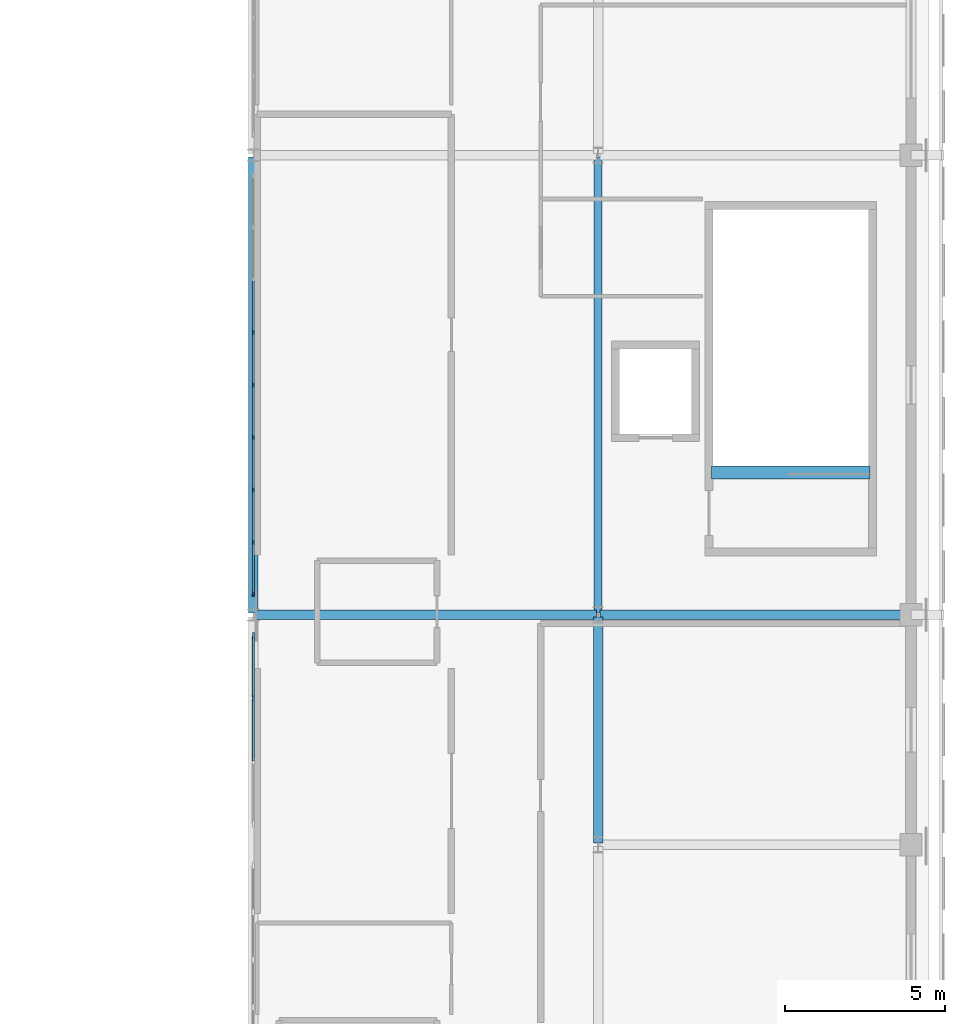
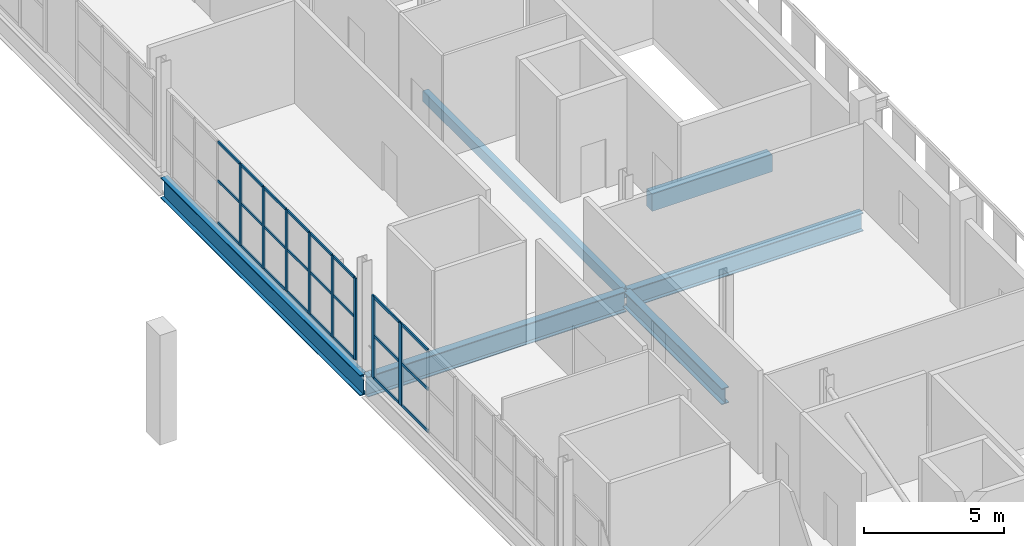
# One storey, part 17 of 51: 32 members, 6 beams, 2 elements without a shape of their own.
"""IFC4 building model written with IfcOpenShell, lengths in metres."""

from ifc_helpers import new_model, si_unit, direction, frame, origin, origin_2d, place, context, subcontext, project, spatial, rectangle, hollow_rectangle, i_section, extrude, material, material_profile, profile_set, type_object, element, aggregate, save


model = new_model("IFC4")

# Units and contexts
model_context = context("Model", 3, precision=1e-05, world=origin(), true_north=direction((0.0, 1.0)))
body_context = subcontext(model_context, "Body", "Model", "MODEL_VIEW")
ifc_project = project(units=[si_unit("LENGTHUNIT", "METRE"), si_unit("AREAUNIT", "SQUARE_METRE"), si_unit("VOLUMEUNIT", "CUBIC_METRE"), si_unit("PLANEANGLEUNIT", "RADIAN"), si_unit("MASSUNIT", "GRAM", prefix="KILO")], contexts=[model_context])

# Site, building, storey
site_placement = place(None, origin())
site = spatial("IfcSite", under=ifc_project, at=site_placement, CompositionType="ELEMENT")
building_placement = place(site_placement, origin())
building = spatial("IfcBuilding", under=site, at=building_placement, Name="Koshinbarg Plaza Stadium", CompositionType="ELEMENT")
storey_placement = place(building_placement, frame((0.0, 0.0, 24.60009765625)))
storey = spatial("IfcBuildingStorey", under=building, at=storey_placement, Name="L05", CompositionType="ELEMENT", Elevation=24.60009765625)

# Beams
ifc_material_1 = material(Name="Concrete C40/50", Category="concrete")
ifc_material_profile_1 = material_profile(ifc_material_1, rectangle(XDim=0.39990234375, YDim=0.75, at=origin_2d()), Name="RC 400x750")
ifc_profile_set_1 = profile_set([ifc_material_profile_1], Name="Concrete C40/50")
beam_type_1 = type_object("IfcBeamType", Name="BM-RCG-03", PredefinedType="USERDEFINED", material=ifc_profile_set_1)
beam_1_placement = place(storey_placement, frame((212.14990234375, 58.760009765625, -0.375), z_axis=(1.0, 0.0, 0.0), x_axis=(0.0, 1.0, 0.0)))
element("IfcBeam", 1, at=beam_1_placement, inside=storey, type_object=beam_type_1, Name="L05 stair landing header beam C08", ObjectType="GIRDER", PredefinedType="USERDEFINED", context=body_context, shape_type="SweptSolid", body=[
    extrude(rectangle(XDim=0.39990234375, YDim=0.75, at=origin_2d()), origin(), (0.0, 0.0, 1.0), 4.97021484375),
])
ifc_material_2 = material(Name="Steel S355", Category="steel")
ifc_material_profile_2 = material_profile(ifc_material_2, i_section(OverallWidth=0.300048828125, OverallDepth=0.699951171875, WebThickness=0.01708984375, FlangeThickness=0.031982421875, at=origin_2d()), Name="HEB 700")
ifc_profile_set_2 = profile_set([ifc_material_profile_2], Name="Steel S355")
beam_type_2 = type_object("IfcBeamType", Name="BM-SGIR-03", PredefinedType="USERDEFINED", material=ifc_profile_set_2)
beam_2_placement = place(storey_placement, frame((208.60009765625, 47.159912109375, -0.650146484375), z_axis=(0.0, 1.0, 0.0), x_axis=(-1.0, 0.0, 0.0)))
element("IfcBeam", 2, at=beam_2_placement, inside=storey, type_object=beam_type_2, Name="L05 Y girder 20/G-H", ObjectType="GIRDER", PredefinedType="USERDEFINED", context=body_context, shape_type="SweptSolid", body=[
    extrude(i_section(OverallWidth=0.300048828125, OverallDepth=0.699951171875, WebThickness=0.01708984375, FlangeThickness=0.031982421875, at=origin_2d()), origin(), (0.0, 0.0, 1.0), 7.080078125),
])
ifc_material_profile_3 = material_profile(ifc_material_2, i_section(OverallWidth=0.300048828125, OverallDepth=0.800048828125, WebThickness=0.017578125, FlangeThickness=0.032958984375, at=origin_2d()), Name="HEB 800")
ifc_profile_set_3 = profile_set([ifc_material_profile_3], Name="Steel S355")
beam_type_3 = type_object("IfcBeamType", Name="BM-SGIR-04", PredefinedType="USERDEFINED", material=ifc_profile_set_3)
beam_3_placement = place(storey_placement, frame((208.659912109375, 54.300048828125, -0.7001953125), z_axis=(1.0, 0.0, 0.0), x_axis=(0.0, 1.0, 0.0)))
element("IfcBeam", 3, at=beam_3_placement, inside=storey, type_object=beam_type_3, Name="L05 X girder H/20-21", ObjectType="GIRDER", PredefinedType="USERDEFINED", context=body_context, shape_type="SweptSolid", body=[
    extrude(i_section(OverallWidth=0.300048828125, OverallDepth=0.800048828125, WebThickness=0.017578125, FlangeThickness=0.032958984375, at=origin_2d()), origin(), (0.0, 0.0, 1.0), 9.68017578125),
])
ifc_material_profile_4 = material_profile(ifc_material_2, i_section(OverallWidth=0.300048828125, OverallDepth=0.89990234375, WebThickness=0.0185546875, FlangeThickness=0.034912109375, at=origin_2d()), Name="HEB 900")
ifc_profile_set_4 = profile_set([ifc_material_profile_4], Name="Steel S355")
beam_type_4 = type_object("IfcBeamType", Name="BM-SGIR-05", PredefinedType="USERDEFINED", material=ifc_profile_set_4)
beam_4_placement = place(storey_placement, frame((197.860107421875, 54.300048828125, -0.75), z_axis=(1.0, 0.0, 0.0), x_axis=(0.0, 1.0, 0.0)))
element("IfcBeam", 4, at=beam_4_placement, inside=storey, type_object=beam_type_4, Name="L05 X girder H/19-20", ObjectType="GIRDER", PredefinedType="USERDEFINED", context=body_context, shape_type="SweptSolid", body=[
    extrude(i_section(OverallWidth=0.300048828125, OverallDepth=0.89990234375, WebThickness=0.0185546875, FlangeThickness=0.034912109375, at=origin_2d()), origin(), (0.0, 0.0, 1.0), 10.679931640625),
])
beam_5_placement = place(storey_placement, frame((197.800048828125, 54.360107421875, -0.75), z_axis=(0.0, 1.0, 0.0), x_axis=(-1.0, 0.0, 0.0)))
element("IfcBeam", 5, at=beam_5_placement, inside=storey, type_object=beam_type_4, Name="L05 Y girder 19/H-J", ObjectType="GIRDER", PredefinedType="USERDEFINED", context=body_context, shape_type="SweptSolid", body=[
    extrude(i_section(OverallWidth=0.300048828125, OverallDepth=0.89990234375, WebThickness=0.0185546875, FlangeThickness=0.034912109375, at=origin_2d()), origin(), (0.0, 0.0, 1.0), 14.27978515625),
])
ifc_material_profile_5 = material_profile(ifc_material_2, hollow_rectangle(XDim=0.25, YDim=0.449951171875, WallThickness=0.01611328125, at=origin_2d()), Name="RHS 450x250x16")
ifc_profile_set_5 = profile_set([ifc_material_profile_5], Name="Steel S355")
beam_type_5 = type_object("IfcBeamType", Name="BM-SGIR-06", PredefinedType="USERDEFINED", material=ifc_profile_set_5)
beam_6_placement = place(storey_placement, frame((208.60009765625, 54.360107421875, -0.525146484375), z_axis=(0.0, 1.0, 0.0), x_axis=(-1.0, 0.0, 0.0)))
element("IfcBeam", 6, at=beam_6_placement, inside=storey, type_object=beam_type_5, Name="L05 Y girder 20/H-J", ObjectType="GIRDER", PredefinedType="USERDEFINED", context=body_context, shape_type="SweptSolid", body=[
    extrude(hollow_rectangle(XDim=0.25, YDim=0.449951171875, WallThickness=0.01611328125, at=origin_2d()), origin(), (0.0, 0.0, 1.0), 14.27978515625),
])

# Curtain wall, members
ifc_material_3 = material(Name="Thermally broken anodised aluminium and low-E double glazing", Category="aluminium")
curtain_wall_type_1 = type_object("IfcCurtainWallType", Name="CW-SYS-01", PredefinedType="NOTDEFINED", material=ifc_material_3)
curtain_wall_1_placement = place(storey_placement, origin())
curtain_wall_1 = element("IfcCurtainWall", 7, at=curtain_wall_1_placement, inside=storey, type_object=curtain_wall_type_1, Name="L05 unitised curtain wall CW-L05-144", PredefinedType="NOTDEFINED")
ifc_material_4 = material(Name="Anodised aluminium mullion", Category="aluminium")
ifc_material_profile_6 = material_profile(ifc_material_4, rectangle(XDim=0.06005859375, YDim=0.139892578125, at=origin_2d()), Name="ALU 60x140")
ifc_profile_set_6 = profile_set([ifc_material_profile_6], Name="Anodised aluminium mullion")
member_type_1 = type_object("IfcMemberType", Name="CW-MUL-01", PredefinedType="MULLION", material=ifc_profile_set_6)
member_1_placement = place(storey_placement, frame((197.800048828125, 54.949951171875, 0.0), z_axis=(0.0, 0.0, 1.0), x_axis=(-1.0, 0.0, 0.0)))
member_1 = element("IfcMember", 8, at=member_1_placement, type_object=member_type_1, Name="CW01 mullion 1", PredefinedType="MULLION", context=body_context, shape_type="SweptSolid", body=[
    extrude(rectangle(XDim=0.06005859375, YDim=0.139892578125, at=origin_2d()), origin(), (0.0, 0.0, 1.0), 3.579833984375),
])
member_2_placement = place(storey_placement, frame((197.800048828125, 56.56494140625, 0.0), z_axis=(0.0, 0.0, 1.0), x_axis=(-1.0, 0.0, 0.0)))
member_2 = element("IfcMember", 9, at=member_2_placement, type_object=member_type_1, Name="CW01 mullion 2", PredefinedType="MULLION", context=body_context, shape_type="SweptSolid", body=[
    extrude(rectangle(XDim=0.06005859375, YDim=0.139892578125, at=origin_2d()), origin(), (0.0, 0.0, 1.0), 3.579833984375),
])
member_3_placement = place(storey_placement, frame((197.800048828125, 58.2099609375, 0.0), z_axis=(0.0, 0.0, 1.0), x_axis=(-1.0, 0.0, 0.0)))
member_3 = element("IfcMember", 10, at=member_3_placement, type_object=member_type_1, Name="CW01 mullion 3", PredefinedType="MULLION", context=body_context, shape_type="SweptSolid", body=[
    extrude(rectangle(XDim=0.06005859375, YDim=0.139892578125, at=origin_2d()), origin(), (0.0, 0.0, 1.0), 3.579833984375),
])
member_4_placement = place(storey_placement, frame((197.800048828125, 59.85498046875, 0.0), z_axis=(0.0, 0.0, 1.0), x_axis=(-1.0, 0.0, 0.0)))
member_4 = element("IfcMember", 11, at=member_4_placement, type_object=member_type_1, Name="CW01 mullion 4", PredefinedType="MULLION", context=body_context, shape_type="SweptSolid", body=[
    extrude(rectangle(XDim=0.06005859375, YDim=0.139892578125, at=origin_2d()), origin(), (0.0, 0.0, 1.0), 3.579833984375),
])
member_5_placement = place(storey_placement, frame((197.800048828125, 61.5, 0.0), z_axis=(0.0, 0.0, 1.0), x_axis=(-1.0, 0.0, 0.0)))
member_5 = element("IfcMember", 12, at=member_5_placement, type_object=member_type_1, Name="CW01 mullion 5", PredefinedType="MULLION", context=body_context, shape_type="SweptSolid", body=[
    extrude(rectangle(XDim=0.06005859375, YDim=0.139892578125, at=origin_2d()), origin(), (0.0, 0.0, 1.0), 3.579833984375),
])
member_6_placement = place(storey_placement, frame((197.800048828125, 63.14501953125, 0.0), z_axis=(0.0, 0.0, 1.0), x_axis=(-1.0, 0.0, 0.0)))
member_6 = element("IfcMember", 13, at=member_6_placement, type_object=member_type_1, Name="CW01 mullion 6", PredefinedType="MULLION", context=body_context, shape_type="SweptSolid", body=[
    extrude(rectangle(XDim=0.06005859375, YDim=0.139892578125, at=origin_2d()), origin(), (0.0, 0.0, 1.0), 3.579833984375),
])

curtain_wall_type_2 = type_object("IfcCurtainWallType", Name="CW-SYS-16", PredefinedType="NOTDEFINED", material=ifc_material_3)
curtain_wall_2_placement = place(storey_placement, origin())
curtain_wall_2 = element("IfcCurtainWall", 14, at=curtain_wall_2_placement, inside=storey, type_object=curtain_wall_type_2, Name="L05 unitised curtain wall CW-L05-143", PredefinedType="NOTDEFINED")
ifc_material_profile_7 = material_profile(ifc_material_4, rectangle(XDim=0.070068359375, YDim=0.199951171875, at=origin_2d()), Name="ALU 70x200")
ifc_profile_set_7 = profile_set([ifc_material_profile_7], Name="Anodised aluminium mullion")
member_type_2 = type_object("IfcMemberType", Name="CW-MUL-04", PredefinedType="MULLION", material=ifc_profile_set_7)
member_7_placement = place(storey_placement, frame((197.800048828125, 51.693359375, 0.0), z_axis=(0.0, 0.0, 1.0), x_axis=(-1.0, 0.0, 0.0)))
member_7 = element("IfcMember", 15, at=member_7_placement, type_object=member_type_2, Name="CW16 mullion 3", PredefinedType="MULLION", context=body_context, shape_type="SweptSolid", body=[
    extrude(rectangle(XDim=0.070068359375, YDim=0.199951171875, at=origin_2d()), origin(), (0.0, 0.0, 1.0), 3.579833984375),
])
member_8_placement = place(storey_placement, frame((197.800048828125, 53.64990234375, 0.0), z_axis=(0.0, 0.0, 1.0), x_axis=(-1.0, 0.0, 0.0)))
member_8 = element("IfcMember", 16, at=member_8_placement, type_object=member_type_2, Name="CW16 mullion 4", PredefinedType="MULLION", context=body_context, shape_type="SweptSolid", body=[
    extrude(rectangle(XDim=0.070068359375, YDim=0.199951171875, at=origin_2d()), origin(), (0.0, 0.0, 1.0), 3.579833984375),
])

# Member
ifc_material_5 = material(Name="Anodised aluminium transom", Category="aluminium")
ifc_material_profile_8 = material_profile(ifc_material_5, rectangle(XDim=0.06005859375, YDim=0.110107421875, at=origin_2d()), Name="ALU 60x110")
ifc_profile_set_8 = profile_set([ifc_material_profile_8], Name="Anodised aluminium transom")
member_type_3 = type_object("IfcMemberType", Name="CW-TRN-01", PredefinedType="USERDEFINED", material=ifc_profile_set_8)
member_9_placement = place(storey_placement, frame((197.800048828125, 54.97998046875, 0.02978515625), z_axis=(0.0, 1.0, 0.0), x_axis=(-1.0, 0.0, 0.0)))
member_9 = element("IfcMember", 17, at=member_9_placement, type_object=member_type_3, Name="CW01 transom 1.1", ObjectType="TRANSOM", PredefinedType="USERDEFINED", context=body_context, shape_type="SweptSolid", body=[
    extrude(rectangle(XDim=0.06005859375, YDim=0.110107421875, at=origin_2d()), origin(), (0.0, 0.0, 1.0), 1.554931640625),
])

member_10_placement = place(storey_placement, frame((197.800048828125, 54.97998046875, 1.861572265625), z_axis=(0.0, 1.0, 0.0), x_axis=(-1.0, 0.0, 0.0)))
member_10 = element("IfcMember", 18, at=member_10_placement, type_object=member_type_3, Name="CW01 transom 1.2", ObjectType="TRANSOM", PredefinedType="USERDEFINED", context=body_context, shape_type="SweptSolid", body=[
    extrude(rectangle(XDim=0.06005859375, YDim=0.110107421875, at=origin_2d()), origin(), (0.0, 0.0, 1.0), 1.554931640625),
])

member_11_placement = place(storey_placement, frame((197.800048828125, 54.97998046875, 3.5498046875), z_axis=(0.0, 1.0, 0.0), x_axis=(-1.0, 0.0, 0.0)))
member_11 = element("IfcMember", 19, at=member_11_placement, type_object=member_type_3, Name="CW01 transom 1.3", ObjectType="TRANSOM", PredefinedType="USERDEFINED", context=body_context, shape_type="SweptSolid", body=[
    extrude(rectangle(XDim=0.06005859375, YDim=0.110107421875, at=origin_2d()), origin(), (0.0, 0.0, 1.0), 1.554931640625),
])

member_12_placement = place(storey_placement, frame((197.800048828125, 56.594970703125, 0.02978515625), z_axis=(0.0, 1.0, 0.0), x_axis=(-1.0, 0.0, 0.0)))
member_12 = element("IfcMember", 20, at=member_12_placement, type_object=member_type_3, Name="CW01 transom 2.1", ObjectType="TRANSOM", PredefinedType="USERDEFINED", context=body_context, shape_type="SweptSolid", body=[
    extrude(rectangle(XDim=0.06005859375, YDim=0.110107421875, at=origin_2d()), origin(), (0.0, 0.0, 1.0), 1.5849609375),
])

member_13_placement = place(storey_placement, frame((197.800048828125, 56.594970703125, 1.861572265625), z_axis=(0.0, 1.0, 0.0), x_axis=(-1.0, 0.0, 0.0)))
member_13 = element("IfcMember", 21, at=member_13_placement, type_object=member_type_3, Name="CW01 transom 2.2", ObjectType="TRANSOM", PredefinedType="USERDEFINED", context=body_context, shape_type="SweptSolid", body=[
    extrude(rectangle(XDim=0.06005859375, YDim=0.110107421875, at=origin_2d()), origin(), (0.0, 0.0, 1.0), 1.5849609375),
])

member_14_placement = place(storey_placement, frame((197.800048828125, 56.594970703125, 3.5498046875), z_axis=(0.0, 1.0, 0.0), x_axis=(-1.0, 0.0, 0.0)))
member_14 = element("IfcMember", 22, at=member_14_placement, type_object=member_type_3, Name="CW01 transom 2.3", ObjectType="TRANSOM", PredefinedType="USERDEFINED", context=body_context, shape_type="SweptSolid", body=[
    extrude(rectangle(XDim=0.06005859375, YDim=0.110107421875, at=origin_2d()), origin(), (0.0, 0.0, 1.0), 1.5849609375),
])

member_15_placement = place(storey_placement, frame((197.800048828125, 58.239990234375, 0.02978515625), z_axis=(0.0, 1.0, 0.0), x_axis=(-1.0, 0.0, 0.0)))
member_15 = element("IfcMember", 23, at=member_15_placement, type_object=member_type_3, Name="CW01 transom 3.1", ObjectType="TRANSOM", PredefinedType="USERDEFINED", context=body_context, shape_type="SweptSolid", body=[
    extrude(rectangle(XDim=0.06005859375, YDim=0.110107421875, at=origin_2d()), origin(), (0.0, 0.0, 1.0), 1.5849609375),
])

member_16_placement = place(storey_placement, frame((197.800048828125, 58.239990234375, 1.861572265625), z_axis=(0.0, 1.0, 0.0), x_axis=(-1.0, 0.0, 0.0)))
member_16 = element("IfcMember", 24, at=member_16_placement, type_object=member_type_3, Name="CW01 transom 3.2", ObjectType="TRANSOM", PredefinedType="USERDEFINED", context=body_context, shape_type="SweptSolid", body=[
    extrude(rectangle(XDim=0.06005859375, YDim=0.110107421875, at=origin_2d()), origin(), (0.0, 0.0, 1.0), 1.5849609375),
])

member_17_placement = place(storey_placement, frame((197.800048828125, 58.239990234375, 3.5498046875), z_axis=(0.0, 1.0, 0.0), x_axis=(-1.0, 0.0, 0.0)))
member_17 = element("IfcMember", 25, at=member_17_placement, type_object=member_type_3, Name="CW01 transom 3.3", ObjectType="TRANSOM", PredefinedType="USERDEFINED", context=body_context, shape_type="SweptSolid", body=[
    extrude(rectangle(XDim=0.06005859375, YDim=0.110107421875, at=origin_2d()), origin(), (0.0, 0.0, 1.0), 1.5849609375),
])

member_18_placement = place(storey_placement, frame((197.800048828125, 59.885009765625, 0.02978515625), z_axis=(0.0, 1.0, 0.0), x_axis=(-1.0, 0.0, 0.0)))
member_18 = element("IfcMember", 26, at=member_18_placement, type_object=member_type_3, Name="CW01 transom 4.1", ObjectType="TRANSOM", PredefinedType="USERDEFINED", context=body_context, shape_type="SweptSolid", body=[
    extrude(rectangle(XDim=0.06005859375, YDim=0.110107421875, at=origin_2d()), origin(), (0.0, 0.0, 1.0), 1.5849609375),
])

member_19_placement = place(storey_placement, frame((197.800048828125, 59.885009765625, 1.861572265625), z_axis=(0.0, 1.0, 0.0), x_axis=(-1.0, 0.0, 0.0)))
member_19 = element("IfcMember", 27, at=member_19_placement, type_object=member_type_3, Name="CW01 transom 4.2", ObjectType="TRANSOM", PredefinedType="USERDEFINED", context=body_context, shape_type="SweptSolid", body=[
    extrude(rectangle(XDim=0.06005859375, YDim=0.110107421875, at=origin_2d()), origin(), (0.0, 0.0, 1.0), 1.5849609375),
])

member_20_placement = place(storey_placement, frame((197.800048828125, 59.885009765625, 3.5498046875), z_axis=(0.0, 1.0, 0.0), x_axis=(-1.0, 0.0, 0.0)))
member_20 = element("IfcMember", 28, at=member_20_placement, type_object=member_type_3, Name="CW01 transom 4.3", ObjectType="TRANSOM", PredefinedType="USERDEFINED", context=body_context, shape_type="SweptSolid", body=[
    extrude(rectangle(XDim=0.06005859375, YDim=0.110107421875, at=origin_2d()), origin(), (0.0, 0.0, 1.0), 1.5849609375),
])

member_21_placement = place(storey_placement, frame((197.800048828125, 61.530029296875, 0.02978515625), z_axis=(0.0, 1.0, 0.0), x_axis=(-1.0, 0.0, 0.0)))
member_21 = element("IfcMember", 29, at=member_21_placement, type_object=member_type_3, Name="CW01 transom 5.1", ObjectType="TRANSOM", PredefinedType="USERDEFINED", context=body_context, shape_type="SweptSolid", body=[
    extrude(rectangle(XDim=0.06005859375, YDim=0.110107421875, at=origin_2d()), origin(), (0.0, 0.0, 1.0), 1.5849609375),
])

member_22_placement = place(storey_placement, frame((197.800048828125, 61.530029296875, 1.861572265625), z_axis=(0.0, 1.0, 0.0), x_axis=(-1.0, 0.0, 0.0)))
member_22 = element("IfcMember", 30, at=member_22_placement, type_object=member_type_3, Name="CW01 transom 5.2", ObjectType="TRANSOM", PredefinedType="USERDEFINED", context=body_context, shape_type="SweptSolid", body=[
    extrude(rectangle(XDim=0.06005859375, YDim=0.110107421875, at=origin_2d()), origin(), (0.0, 0.0, 1.0), 1.5849609375),
])

member_23_placement = place(storey_placement, frame((197.800048828125, 61.530029296875, 3.5498046875), z_axis=(0.0, 1.0, 0.0), x_axis=(-1.0, 0.0, 0.0)))
member_23 = element("IfcMember", 31, at=member_23_placement, type_object=member_type_3, Name="CW01 transom 5.3", ObjectType="TRANSOM", PredefinedType="USERDEFINED", context=body_context, shape_type="SweptSolid", body=[
    extrude(rectangle(XDim=0.06005859375, YDim=0.110107421875, at=origin_2d()), origin(), (0.0, 0.0, 1.0), 1.5849609375),
])

member_24_placement = place(storey_placement, frame((197.800048828125, 63.175048828125, 0.02978515625), z_axis=(0.0, 1.0, 0.0), x_axis=(-1.0, 0.0, 0.0)))
member_24 = element("IfcMember", 32, at=member_24_placement, type_object=member_type_3, Name="CW01 transom 6.1", ObjectType="TRANSOM", PredefinedType="USERDEFINED", context=body_context, shape_type="SweptSolid", body=[
    extrude(rectangle(XDim=0.06005859375, YDim=0.110107421875, at=origin_2d()), origin(), (0.0, 0.0, 1.0), 1.5849609375),
])

member_25_placement = place(storey_placement, frame((197.800048828125, 63.175048828125, 1.861572265625), z_axis=(0.0, 1.0, 0.0), x_axis=(-1.0, 0.0, 0.0)))
member_25 = element("IfcMember", 33, at=member_25_placement, type_object=member_type_3, Name="CW01 transom 6.2", ObjectType="TRANSOM", PredefinedType="USERDEFINED", context=body_context, shape_type="SweptSolid", body=[
    extrude(rectangle(XDim=0.06005859375, YDim=0.110107421875, at=origin_2d()), origin(), (0.0, 0.0, 1.0), 1.5849609375),
])

member_26_placement = place(storey_placement, frame((197.800048828125, 63.175048828125, 3.5498046875), z_axis=(0.0, 1.0, 0.0), x_axis=(-1.0, 0.0, 0.0)))
member_26 = element("IfcMember", 34, at=member_26_placement, type_object=member_type_3, Name="CW01 transom 6.3", ObjectType="TRANSOM", PredefinedType="USERDEFINED", context=body_context, shape_type="SweptSolid", body=[
    extrude(rectangle(XDim=0.06005859375, YDim=0.110107421875, at=origin_2d()), origin(), (0.0, 0.0, 1.0), 1.5849609375),
])

aggregate(curtain_wall_1, [member_1, member_2, member_3, member_4, member_5, member_6, member_9, member_10, member_11, member_12, member_13, member_14, member_15, member_16, member_17, member_18, member_19, member_20, member_21, member_22, member_23, member_24, member_25, member_26])

ifc_material_profile_9 = material_profile(ifc_material_5, rectangle(XDim=0.06005859375, YDim=0.1298828125, at=origin_2d()), Name="ALU 60x130")
ifc_profile_set_9 = profile_set([ifc_material_profile_9], Name="Anodised aluminium transom")
member_type_4 = type_object("IfcMemberType", Name="CW-TRN-02", PredefinedType="USERDEFINED", material=ifc_profile_set_9)
member_27_placement = place(storey_placement, frame((197.800048828125, 49.736572265625, 0.02978515625), z_axis=(0.0, 1.0, 0.0), x_axis=(-1.0, 0.0, 0.0)))
member_27 = element("IfcMember", 35, at=member_27_placement, type_object=member_type_4, Name="CW16 transom 2.1", ObjectType="TRANSOM", PredefinedType="USERDEFINED", context=body_context, shape_type="SweptSolid", body=[
    extrude(rectangle(XDim=0.06005859375, YDim=0.1298828125, at=origin_2d()), origin(), (0.0, 0.0, 1.0), 1.9267578125),
])

member_28_placement = place(storey_placement, frame((197.800048828125, 49.736572265625, 1.861572265625), z_axis=(0.0, 1.0, 0.0), x_axis=(-1.0, 0.0, 0.0)))
member_28 = element("IfcMember", 36, at=member_28_placement, type_object=member_type_4, Name="CW16 transom 2.2", ObjectType="TRANSOM", PredefinedType="USERDEFINED", context=body_context, shape_type="SweptSolid", body=[
    extrude(rectangle(XDim=0.06005859375, YDim=0.1298828125, at=origin_2d()), origin(), (0.0, 0.0, 1.0), 1.9267578125),
])

member_29_placement = place(storey_placement, frame((197.800048828125, 49.736572265625, 3.5498046875), z_axis=(0.0, 1.0, 0.0), x_axis=(-1.0, 0.0, 0.0)))
member_29 = element("IfcMember", 37, at=member_29_placement, type_object=member_type_4, Name="CW16 transom 2.3", ObjectType="TRANSOM", PredefinedType="USERDEFINED", context=body_context, shape_type="SweptSolid", body=[
    extrude(rectangle(XDim=0.06005859375, YDim=0.1298828125, at=origin_2d()), origin(), (0.0, 0.0, 1.0), 1.9267578125),
])

member_30_placement = place(storey_placement, frame((197.800048828125, 51.723388671875, 0.02978515625), z_axis=(0.0, 1.0, 0.0), x_axis=(-1.0, 0.0, 0.0)))
member_30 = element("IfcMember", 38, at=member_30_placement, type_object=member_type_4, Name="CW16 transom 3.1", ObjectType="TRANSOM", PredefinedType="USERDEFINED", context=body_context, shape_type="SweptSolid", body=[
    extrude(rectangle(XDim=0.06005859375, YDim=0.1298828125, at=origin_2d()), origin(), (0.0, 0.0, 1.0), 1.896728515625),
])

member_31_placement = place(storey_placement, frame((197.800048828125, 51.723388671875, 1.861572265625), z_axis=(0.0, 1.0, 0.0), x_axis=(-1.0, 0.0, 0.0)))
member_31 = element("IfcMember", 39, at=member_31_placement, type_object=member_type_4, Name="CW16 transom 3.2", ObjectType="TRANSOM", PredefinedType="USERDEFINED", context=body_context, shape_type="SweptSolid", body=[
    extrude(rectangle(XDim=0.06005859375, YDim=0.1298828125, at=origin_2d()), origin(), (0.0, 0.0, 1.0), 1.896728515625),
])

member_32_placement = place(storey_placement, frame((197.800048828125, 51.723388671875, 3.5498046875), z_axis=(0.0, 1.0, 0.0), x_axis=(-1.0, 0.0, 0.0)))
member_32 = element("IfcMember", 40, at=member_32_placement, type_object=member_type_4, Name="CW16 transom 3.3", ObjectType="TRANSOM", PredefinedType="USERDEFINED", context=body_context, shape_type="SweptSolid", body=[
    extrude(rectangle(XDim=0.06005859375, YDim=0.1298828125, at=origin_2d()), origin(), (0.0, 0.0, 1.0), 1.896728515625),
])

aggregate(curtain_wall_2, [member_7, member_8, member_27, member_28, member_29, member_30, member_31, member_32])

save(model, "model.ifc")
